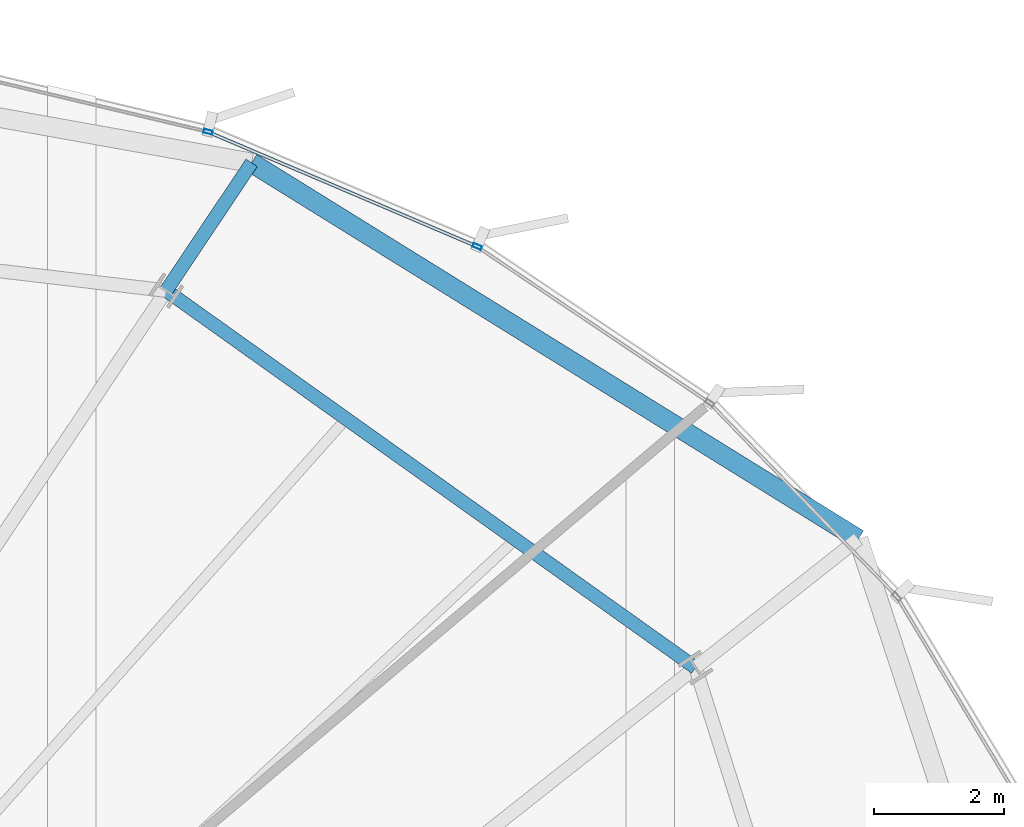
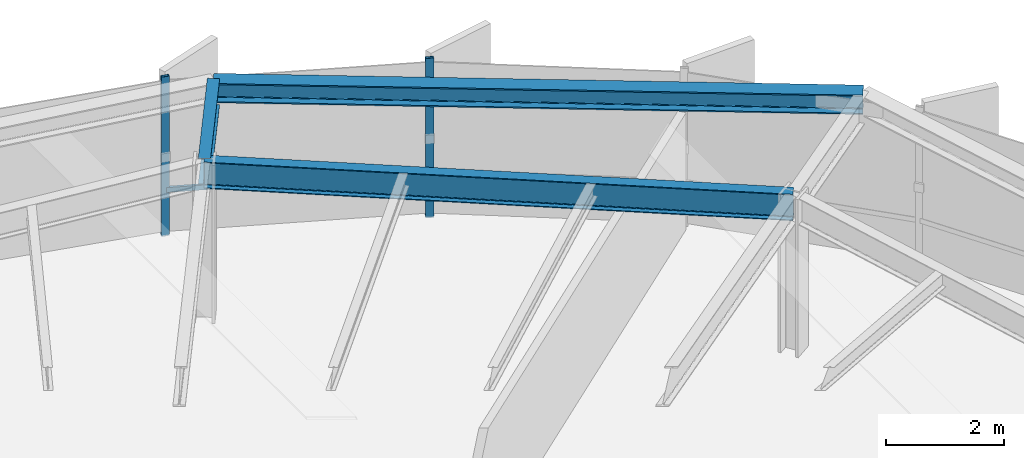
# One storey, part 26 of 37: 3 beams, 3 members, 1 element without a shape of its own.
"""IFC4 building model written with IfcOpenShell, lengths in metres."""

import ifcopenshell
import ifcopenshell.guid

model = None  # the IFC model being written
_history = None  # IfcOwnerHistory: only IFC2X3 demands one
_inside = {}  # id of a spatial element -> (the spatial element, [elements in it])
_under = {}  # id of a project, library or spatial element -> (it, [spatial elements below it])
_declared = {}  # id of a project -> (the project, [libraries it declares])
_typed = {}  # id of a type object -> (the type object, [elements of that type])
_made_of = {}  # id of a material, layer set ... -> (it, [elements and type objects made of it])


def new_model(schema):
    """Start an empty IFC model of exactly this schema.

    Asked for "IFC4X3", IfcOpenShell would pick the latest addendum, in which some entities
    have other attributes; the version numbers below select the first issue.
    IFC2X3 requires an IfcOwnerHistory on every rooted entity: one is made here for all.
    """
    global model, _history
    if schema == "IFC4X3":
        model = ifcopenshell.file(schema_version=(4, 3, 0, 0))
    else:
        model = ifcopenshell.file(schema=schema)
    _inside.clear()
    _under.clear()
    _declared.clear()
    _typed.clear()
    _made_of.clear()
    _history = None
    if model.schema == "IFC2X3":
        org = make("IfcOrganization", Name="unknown")
        user = make(
            "IfcPersonAndOrganization",
            ThePerson=make("IfcPerson", FamilyName="unknown"),
            TheOrganization=org,
        )
        app = make(
            "IfcApplication",
            ApplicationDeveloper=org,
            Version="unknown",
            ApplicationFullName="unknown",
            ApplicationIdentifier="unknown",
        )
        _history = make(
            "IfcOwnerHistory",
            OwningUser=user,
            OwningApplication=app,
            ChangeAction="ADDED",
            CreationDate=0,
        )
    return model


def make(cls, **values):
    """One entity of the class cls with the attributes given. An attribute that is None is left unset."""
    return model.create_entity(
        cls, **{name: value for name, value in values.items() if value is not None}
    )


def rooted(cls, **values):
    """An entity with a GlobalId (a new one), such as an element, a storey or a relation."""
    return make(cls, GlobalId=ifcopenshell.guid.new(), OwnerHistory=_history, **values)


def si_unit(unit_type, name, prefix=None):
    """IfcSIUnit, for example si_unit("LENGTHUNIT", "METRE", prefix="MILLI")."""
    return make("IfcSIUnit", UnitType=unit_type, Prefix=prefix, Name=name)


def assignment(units):
    """IfcUnitAssignment: the units of a project."""
    return None if units is None else make("IfcUnitAssignment", Units=units)


def point(xyz):
    """IfcCartesianPoint."""
    return None if xyz is None else make("IfcCartesianPoint", Coordinates=xyz)


def direction(xyz):
    """IfcDirection."""
    return None if xyz is None else make("IfcDirection", DirectionRatios=xyz)


def frame(location, z_axis=None, x_axis=None):
    """IfcAxis2Placement3D, a coordinate frame: its origin and axes. An axis left out is left unset."""
    return make(
        "IfcAxis2Placement3D",
        Location=point(location),
        Axis=direction(z_axis),
        RefDirection=direction(x_axis),
    )


def frame_2d(location, x_axis=None):
    """IfcAxis2Placement2D, a coordinate frame in the plane: its origin and x axis."""
    return make(
        "IfcAxis2Placement2D", Location=point(location), RefDirection=direction(x_axis)
    )


def origin():
    """The frame at (0, 0, 0) with its axes left unset."""
    return frame((0.0, 0.0, 0.0))


def origin_2d():
    """The frame at (0, 0) in the plane with its x axis left unset."""
    return frame_2d((0.0, 0.0))


def place(relative_to, where):
    """IfcLocalPlacement: puts the frame where relative to a parent placement (None: the world)."""
    return make(
        "IfcLocalPlacement", PlacementRelTo=relative_to, RelativePlacement=where
    )


def context(
    kind, dimensions, precision=None, world=None, true_north=None, identifier=None
):
    """IfcGeometricRepresentationContext, for example the 3D "Model" context."""
    return make(
        "IfcGeometricRepresentationContext",
        ContextIdentifier=identifier,
        ContextType=kind,
        CoordinateSpaceDimension=dimensions,
        Precision=precision,
        WorldCoordinateSystem=world,
        TrueNorth=true_north,
    )


def subcontext(parent, identifier, kind, view, scale=None):
    """IfcGeometricRepresentationSubContext, for example "Body" below "Model"."""
    return make(
        "IfcGeometricRepresentationSubContext",
        ContextIdentifier=identifier,
        ContextType=kind,
        ParentContext=parent,
        TargetScale=scale,
        TargetView=view,
    )


def project(units=None, contexts=None):
    """IfcProject with its units and contexts."""
    return rooted(
        "IfcProject",
        Name="project",
        RepresentationContexts=contexts,
        UnitsInContext=assignment(units),
    )


def spatial(cls, under=None, at=None, **own):
    """A site, building, storey or space (cls), placed at a placement, below another one or the project."""
    s = rooted(cls, ObjectPlacement=at, **own)
    if under is not None:
        _under.setdefault(under.id(), (under, []))[1].append(s)
    return s


def profile(cls, at=None, kind="AREA", **sizes):
    """A parametric profile (cls). Its sizes go by their IFC names, for example OverallWidth=200.0."""
    return make(cls, ProfileType=kind, Position=at, **sizes)


def hollow_rectangle(**sizes):
    """IfcRectangleHollowProfileDef."""
    return profile("IfcRectangleHollowProfileDef", **sizes)


def i_section(**sizes):
    """IfcIShapeProfileDef."""
    return profile("IfcIShapeProfileDef", **sizes)


def extrude(swept, where, along, depth):
    """IfcExtrudedAreaSolid: the profile swept, set in the frame where, extruded along a direction by depth."""
    return make(
        "IfcExtrudedAreaSolid",
        SweptArea=swept,
        Position=where,
        ExtrudedDirection=direction(along),
        Depth=depth,
    )


def shape(context_of_items, identifier, shape_type, items):
    """IfcShapeRepresentation: the items that make up one representation, for example the "Body"."""
    return make(
        "IfcShapeRepresentation",
        ContextOfItems=context_of_items,
        RepresentationIdentifier=identifier,
        RepresentationType=shape_type,
        Items=items,
    )


def source(mapping_origin, context_of_items, identifier, shape_type, items):
    """IfcRepresentationMap: a shape defined once, which mapped items show again and again."""
    return make(
        "IfcRepresentationMap",
        MappingOrigin=mapping_origin,
        MappedRepresentation=shape(context_of_items, identifier, shape_type, items),
    )


def transform(
    local_origin,
    x_axis=None,
    y_axis=None,
    z_axis=None,
    scale=None,
    scale2=None,
    scale3=None,
    uniform=True,
):
    """IfcCartesianTransformationOperator3D, or its non-uniform kind. x_axis, y_axis, z_axis: its Axis1, 2, 3."""
    if uniform:
        return make(
            "IfcCartesianTransformationOperator3D",
            Axis1=direction(x_axis),
            Axis2=direction(y_axis),
            LocalOrigin=point(local_origin),
            Scale=scale,
            Axis3=direction(z_axis),
        )
    return make(
        "IfcCartesianTransformationOperator3DnonUniform",
        Axis1=direction(x_axis),
        Axis2=direction(y_axis),
        LocalOrigin=point(local_origin),
        Scale=scale,
        Axis3=direction(z_axis),
        Scale2=scale2,
        Scale3=scale3,
    )


def mapped(mapping_source, mapping_target):
    """IfcMappedItem: shows the shape of a source again, moved by a transform."""
    return make(
        "IfcMappedItem", MappingSource=mapping_source, MappingTarget=mapping_target
    )


def material(Name=None, Category=None):
    """IfcMaterial."""
    return make("IfcMaterial", Name=Name, Category=Category)


def layer(
    of_material, thickness, ventilated=None, Name=None, Category=None, Priority=None
):
    """IfcMaterialLayer: one layer of a wall or slab, of a material (None: an air gap)."""
    return make(
        "IfcMaterialLayer",
        Material=of_material,
        LayerThickness=thickness,
        IsVentilated=ventilated,
        Name=Name,
        Category=Category,
        Priority=Priority,
    )


def layer_set(layers, Name=None):
    """IfcMaterialLayerSet."""
    return make("IfcMaterialLayerSet", MaterialLayers=layers, LayerSetName=Name)


def material_profile(
    of_material, cross_section, Name=None, Category=None, Priority=None
):
    """IfcMaterialProfile: a cross section and its material."""
    return make(
        "IfcMaterialProfile",
        Name=Name,
        Material=of_material,
        Profile=cross_section,
        Priority=Priority,
        Category=Category,
    )


def profile_set(profiles, Name=None, composite=None):
    """IfcMaterialProfileSet."""
    return make(
        "IfcMaterialProfileSet",
        Name=Name,
        MaterialProfiles=profiles,
        CompositeProfile=composite,
    )


def made_of(thing, what):
    """Note that an element or type object is made of a material, layer set ...; save() writes the relation."""
    if what is not None:
        _made_of.setdefault(what.id(), (what, []))[1].append(thing)
    return thing


def type_object(cls, material=None, **own):
    """A type object (cls), such as IfcWallType, which elements share."""
    return made_of(rooted(cls, **own), material)


def element(
    cls,
    number,
    at=None,
    inside=None,
    cuts=None,
    type_object=None,
    material=None,
    context=None,
    identifier="Body",
    shape_type=None,
    held_by="IfcProductDefinitionShape",
    body=None,
    shapes=None,
    **own,
):
    """One element of the class cls, such as IfcWall. Its Tag is "e" and its number.

    at: its placement. inside: the storey or other place that contains it. cuts: it is an
    opening in that element (IfcRelVoidsElement). A single representation is given by context,
    identifier, shape_type and body (its items); several are given by shapes. held_by: the class
    of the entity that holds the representations. save() writes the other relations.
    """
    e = rooted(cls, Tag="e%d" % number, ObjectPlacement=at, **own)
    if body is not None:
        shapes = [shape(context, identifier, shape_type, body)]
    if shapes is not None:
        e.Representation = make(held_by, Representations=shapes)
    if inside is not None:
        _inside.setdefault(inside.id(), (inside, []))[1].append(e)
    if cuts is not None:
        rooted(
            "IfcRelVoidsElement", RelatingBuildingElement=cuts, RelatedOpeningElement=e
        )
    if type_object is not None:
        _typed.setdefault(type_object.id(), (type_object, []))[1].append(e)
    return made_of(e, material)


def aggregate(whole, parts):
    """IfcRelAggregates: a whole, such as a stair, and the parts it consists of."""
    return rooted("IfcRelAggregates", RelatingObject=whole, RelatedObjects=parts)


def save(model, path):
    """Write the relations noted so far, then the file.

    IfcRelAggregates (storeys below a building ...), IfcRelContainedInSpatialStructure (elements
    in a storey), IfcRelDefinesByType, IfcRelAssociatesMaterial and IfcRelDeclares: one each for
    every whole, place, type object, material and project.
    """
    for whole, parts in _under.values():
        aggregate(whole, parts)
    for where, things in _inside.values():
        rooted(
            "IfcRelContainedInSpatialStructure",
            RelatedElements=things,
            RelatingStructure=where,
        )
    for kind, things in _typed.values():
        rooted("IfcRelDefinesByType", RelatedObjects=things, RelatingType=kind)
    for what, things in _made_of.values():
        rooted("IfcRelAssociatesMaterial", RelatedObjects=things, RelatingMaterial=what)
    for by, libraries in _declared.values():
        rooted("IfcRelDeclares", RelatingContext=by, RelatedDefinitions=libraries)
    model.write(path)


model = new_model("IFC4")

# Units and contexts
model_context = context("Model", 3, precision=1e-05, world=origin(), true_north=direction((0.0, 1.0)))
body_context = subcontext(model_context, "Body", "Model", "MODEL_VIEW")
ifc_project = project(units=[si_unit("LENGTHUNIT", "METRE"), si_unit("AREAUNIT", "SQUARE_METRE"), si_unit("VOLUMEUNIT", "CUBIC_METRE"), si_unit("PLANEANGLEUNIT", "RADIAN"), si_unit("MASSUNIT", "GRAM", prefix="KILO"), si_unit("THERMODYNAMICTEMPERATUREUNIT", "KELVIN")], contexts=[model_context])

# Site, building, storey
site_placement = place(None, origin())
site = spatial("IfcSite", under=ifc_project, at=site_placement, CompositionType="ELEMENT")
building_placement = place(site_placement, origin())
building = spatial("IfcBuilding", under=site, at=building_placement, Name="Kethvar Cultural Tower", CompositionType="ELEMENT")
storey_placement = place(building_placement, frame((0.0, 0.0, 132.35009765625)))
storey = spatial("IfcBuildingStorey", under=building, at=storey_placement, Name="L33", CompositionType="ELEMENT", Elevation=132.35009765625)

# Beams
ifc_material_1 = material(Name="Steel S355J2", Category="steel")
ifc_material_profile_1 = material_profile(ifc_material_1, i_section(OverallWidth=0.2099609375, OverallDepth=0.550048828125, WebThickness=0.010986328125, FlangeThickness=0.01708984375, FilletRadius=0.02392578125, at=origin_2d()), Name="Steel S355J2 — IPE550")
ifc_profile_set_1 = profile_set([ifc_material_profile_1], Name="Steel S355J2 — IPE550")
beam_type_1 = type_object("IfcBeamType", Name="BM-IPE550", PredefinedType="BEAM", material=ifc_profile_set_1)
shared_shape_1 = source(origin(), body_context, "Body", "SweptSolid", [
    extrude(i_section(OverallWidth=0.2099609375, OverallDepth=0.550048828125, WebThickness=0.010986328125, FlangeThickness=0.01708984375, FilletRadius=0.02392578125, at=origin_2d()), origin(), (0.0, 0.0, 1.0), 10.0234375),
])
beam_1_placement = place(storey_placement, frame((68.568603515625, 42.34521484375, 3.02294921875), z_axis=(-0.814470106239, 0.580205520521, 0.0), x_axis=(-0.580205520521, -0.814470106239, 0.0)))
element("IfcBeam", 1, at=beam_1_placement, inside=storey, type_object=beam_type_1, Name="L33 Column Ring Tie Beam CR-02", PredefinedType="BEAM", context=body_context, shape_type="MappedRepresentation", body=[
    mapped(shared_shape_1, transform((0.0, 0.0, 0.0), scale=1.0)),
])
ifc_material_profile_2 = material_profile(ifc_material_1, i_section(OverallWidth=0.300048828125, OverallDepth=0.39990234375, WebThickness=0.013427734375, FlangeThickness=0.02392578125, FilletRadius=0.027099609375, at=origin_2d()), Name="Steel S355J2 — HEB400")
ifc_profile_set_2 = profile_set([ifc_material_profile_2], Name="Steel S355J2 — HEB400")
beam_type_2 = type_object("IfcBeamType", Name="BM-SP400", PredefinedType="SPANDREL", material=ifc_profile_set_2)
shared_shape_2 = source(origin(), body_context, "Body", "SweptSolid", [
    extrude(i_section(OverallWidth=0.300048828125, OverallDepth=0.39990234375, WebThickness=0.013427734375, FlangeThickness=0.02392578125, FilletRadius=0.027099609375, at=origin_2d()), origin(), (0.0, 0.0, 1.0), 11.01123046875),
])
beam_2_placement = place(storey_placement, frame((71.07958984375, 44.3291015625, 3.097900390625), z_axis=(-0.849858997907, 0.527010136218, 0.0), x_axis=(-0.527010136218, -0.849858997907, 0.0)))
element("IfcBeam", 2, at=beam_2_placement, inside=storey, type_object=beam_type_2, Name="L33 Perimeter Spandrel Beam SP-02", PredefinedType="SPANDREL", context=body_context, shape_type="MappedRepresentation", body=[
    mapped(shared_shape_2, transform((0.0, 0.0, 0.0), scale=1.0)),
])
shared_shape_3 = source(origin(), body_context, "Body", "SweptSolid", [
    extrude(i_section(OverallWidth=0.2099609375, OverallDepth=0.550048828125, WebThickness=0.010986328125, FlangeThickness=0.01708984375, FilletRadius=0.02392578125, at=origin_2d()), origin(), (0.0, 0.0, 1.0), 2.37060546875),
])
beam_3_placement = place(storey_placement, frame((60.40478515625, 48.160888671875, 3.02294921875), z_axis=(0.555507980824, 0.831511204519, 0.0), x_axis=(-0.831511204519, 0.555507980824, 0.0)))
element("IfcBeam", 3, at=beam_3_placement, inside=storey, type_object=beam_type_1, Name="L33 Perimeter Cantilever Beam RC-03", PredefinedType="BEAM", context=body_context, shape_type="MappedRepresentation", body=[
    mapped(shared_shape_3, transform((0.0, 0.0, 0.0), scale=1.0)),
])

# Curtain wall, members
ifc_material_2 = material(Name="Aluminium 6063-T6", Category="aluminium")
ifc_layer = layer(ifc_material_2, 0.179931640625, Name="Aluminium 6063-T6", Category="aluminium")
ifc_layer_set = layer_set([ifc_layer], Name="Aluminium 6063-T6 (180 mm)")
curtain_wall_type = type_object("IfcCurtainWallType", Name="CW-SYS-04-Z34", PredefinedType="NOTDEFINED", material=ifc_layer_set)
curtain_wall_placement = place(storey_placement, origin())
curtain_wall = element("IfcCurtainWall", 4, at=curtain_wall_placement, inside=storey, type_object=curtain_wall_type, Name="L33 Curtain Wall Run 01", PredefinedType="NOTDEFINED")
ifc_material_profile_3 = material_profile(ifc_material_2, hollow_rectangle(XDim=0.06005859375, YDim=0.139892578125, WallThickness=0.0048828125, at=origin_2d()), Name="Aluminium 6063-T6 — RHS140x60x5")
ifc_profile_set_3 = profile_set([ifc_material_profile_3], Name="Aluminium 6063-T6 — RHS140x60x5")
member_type_1 = type_object("IfcMemberType", Name="CW-SYS-04-Z34-MUL", PredefinedType="MULLION", material=ifc_profile_set_3)
shared_shape_4 = source(origin(), body_context, "Body", "SweptSolid", [
    extrude(hollow_rectangle(XDim=0.06005859375, YDim=0.139892578125, WallThickness=0.0048828125, at=origin_2d()), origin(), (0.0, 0.0, 1.0), 3.2998046875),
])
member_1_placement = place(storey_placement, frame((65.201904296875, 48.840087890625, 0.0), z_axis=(0.0, 0.0, 1.0), x_axis=(-0.391871502872, -0.920019959151, 0.0)))
member_1 = element("IfcMember", 5, at=member_1_placement, type_object=member_type_1, Name="CW-L33-R01 Mullion 4", PredefinedType="MULLION", context=body_context, shape_type="MappedRepresentation", body=[
    mapped(shared_shape_4, transform((0.0, 0.0, 0.0), scale=1.0)),
])
member_2_placement = place(storey_placement, frame((61.049560546875, 50.6103515625, 0.0), z_axis=(0.0, 0.0, 1.0), x_axis=(-0.231000796986, -0.972953560964, 0.0)))
member_2 = element("IfcMember", 6, at=member_2_placement, type_object=member_type_1, Name="CW-L33-R01 Mullion 5", PredefinedType="MULLION", context=body_context, shape_type="MappedRepresentation", body=[
    mapped(shared_shape_4, transform((0.0, 0.0, 0.0), scale=1.0)),
])
ifc_material_profile_4 = material_profile(ifc_material_2, hollow_rectangle(XDim=0.050048828125, YDim=0.10009765625, WallThickness=0.00390625, at=origin_2d()), Name="Aluminium 6063-T6 — RHS100x50x4")
ifc_profile_set_4 = profile_set([ifc_material_profile_4], Name="Aluminium 6063-T6 — RHS100x50x4")
member_type_2 = type_object("IfcMemberType", Name="CW-SYS-04-Z34-TRN", PredefinedType="USERDEFINED", material=ifc_profile_set_4)
shared_shape_5 = source(origin(), body_context, "Body", "SweptSolid", [
    extrude(hollow_rectangle(XDim=0.050048828125, YDim=0.10009765625, WallThickness=0.00390625, at=origin_2d()), origin(), (0.0, 0.0, 1.0), 4.4462890625),
])
member_3_placement = place(storey_placement, frame((65.162109375, 48.85693359375, 0.949951171875), z_axis=(-0.920011880886, 0.391890468152, 0.0), x_axis=(-0.391890468152, -0.920011880886, 0.0)))
member_3 = element("IfcMember", 7, at=member_3_placement, type_object=member_type_2, Name="CW-L33-R01 Transom 4", ObjectType="TRANSOM", PredefinedType="USERDEFINED", context=body_context, shape_type="MappedRepresentation", body=[
    mapped(shared_shape_5, transform((0.0, 0.0, 0.0), scale=1.0)),
])
aggregate(curtain_wall, [member_1, member_2, member_3])

save(model, "model.ifc")
